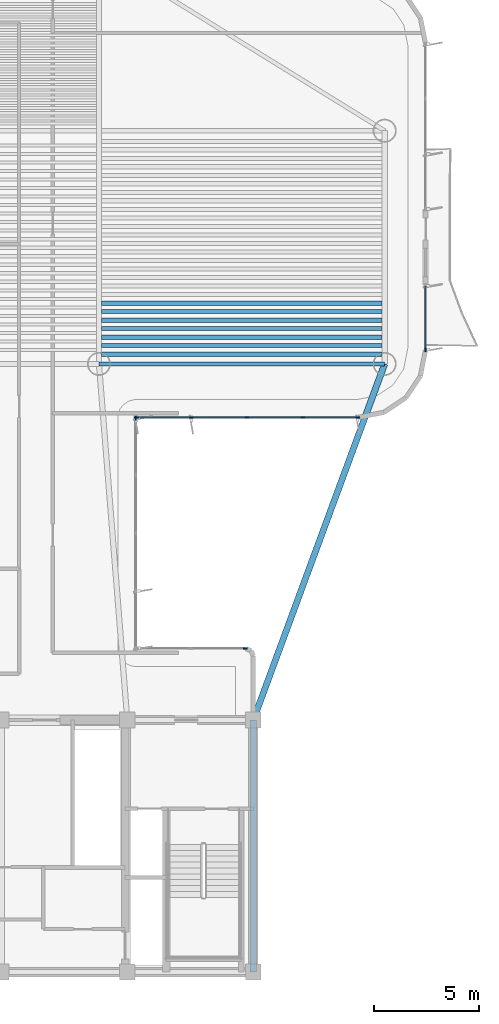
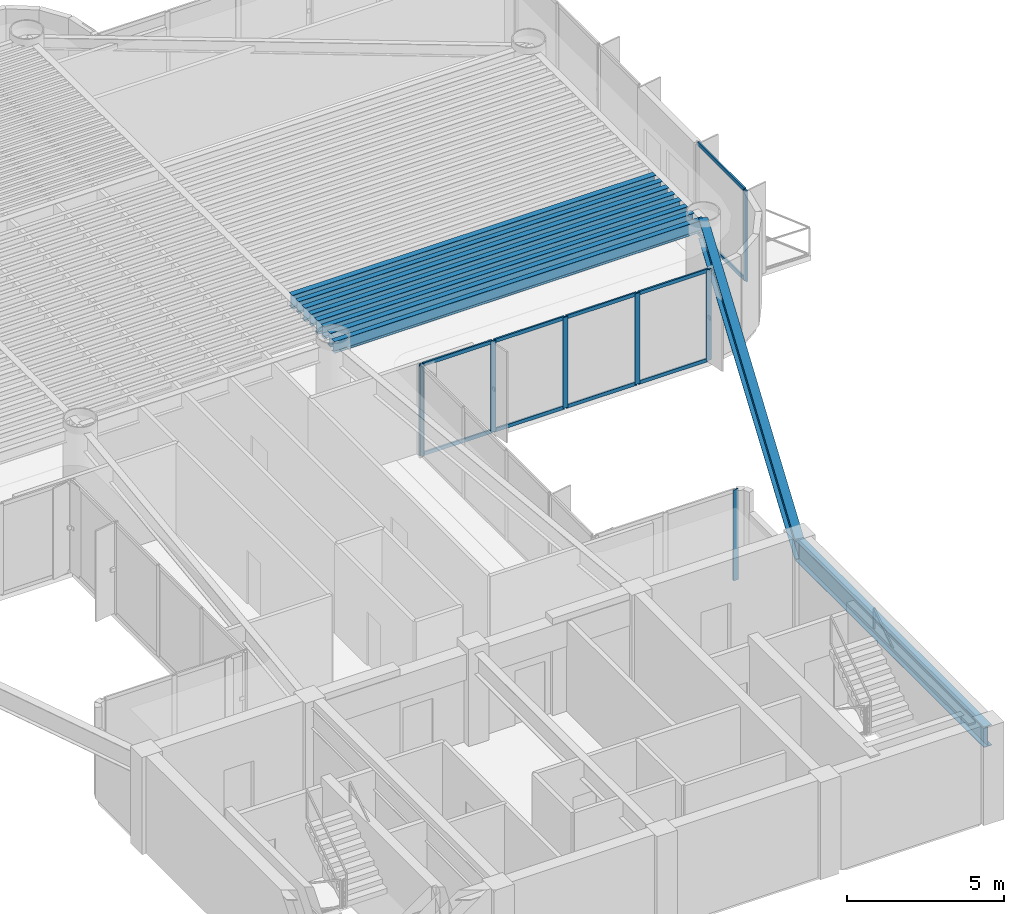
# One storey, part 4 of 13: 18 members, 10 beams, 4 elements without a shape of their own.
"""IFC4 building model written with IfcOpenShell, lengths in metres."""

from ifc_helpers import new_model, si_unit, direction, frame, origin, origin_2d, place, context, subcontext, project, spatial, rectangle, i_section, extrude, source, transform, mapped, material, layer, layer_set, material_profile, profile_set, type_object, element, aggregate, save


model = new_model("IFC4")

# Units and contexts
model_context = context("Model", 3, precision=1e-05, world=origin(), true_north=direction((0.0, 1.0)))
body_context = subcontext(model_context, "Body", "Model", "MODEL_VIEW")
ifc_project = project(units=[si_unit("LENGTHUNIT", "METRE"), si_unit("AREAUNIT", "SQUARE_METRE"), si_unit("VOLUMEUNIT", "CUBIC_METRE"), si_unit("PLANEANGLEUNIT", "RADIAN"), si_unit("MASSUNIT", "GRAM", prefix="KILO")], contexts=[model_context])

# Site, building, storey
site_placement = place(None, origin())
site = spatial("IfcSite", under=ifc_project, at=site_placement, CompositionType="ELEMENT")
building_placement = place(site_placement, origin())
building = spatial("IfcBuilding", under=site, at=building_placement, Name="Brelvock Crest Care Tower", CompositionType="ELEMENT")
storey_placement = place(building_placement, frame((0.0, 0.0, 186.659912109375)))
storey = spatial("IfcBuildingStorey", under=building, at=storey_placement, Name="L47", CompositionType="ELEMENT", Elevation=186.659912109375)

# Beams
ifc_material_1 = material(Name="Steel Grade 350", Category="steel")
ifc_material_profile_1 = material_profile(ifc_material_1, i_section(OverallWidth=0.300048828125, OverallDepth=0.800048828125, WebThickness=0.013916015625, FlangeThickness=0.02197265625, at=origin_2d()), Name="800WB192")
ifc_profile_set_1 = profile_set([ifc_material_profile_1], Name="Steel Grade 350")
beam_type_1 = type_object("IfcBeamType", Name="BM-G5", PredefinedType="BEAM", material=ifc_profile_set_1)
shared_shape_1 = source(origin(), body_context, "Body", "SweptSolid", [
    extrude(i_section(OverallWidth=0.300048828125, OverallDepth=0.800048828125, WebThickness=0.013916015625, FlangeThickness=0.02197265625, at=origin_2d()), origin(), (0.0, 0.0, 1.0), 12.0),
])
beam_1_placement = place(storey_placement, frame((48.0, 6.0, 3.130126953125), z_axis=(0.0, 1.0, 0.0), x_axis=(-1.0, 0.0, 0.0)))
element("IfcBeam", 1, at=beam_1_placement, inside=storey, type_object=beam_type_1, Name="BM-COREX-L47-5", PredefinedType="BEAM", context=body_context, shape_type="MappedRepresentation", body=[
    mapped(shared_shape_1, transform((0.0, 0.0, 0.0), x_axis=(1.0, 0.0, 0.0), y_axis=(0.0, 1.0, 0.0), z_axis=(0.0, 0.0, 1.0), scale=1.0)),
])
ifc_material_profile_2 = material_profile(ifc_material_1, i_section(OverallWidth=0.208984375, OverallDepth=0.532958984375, WebThickness=0.01025390625, FlangeThickness=0.015625, FilletRadius=0.013916015625, at=origin_2d()), Name="530UB92.4")
ifc_profile_set_2 = profile_set([ifc_material_profile_2], Name="Steel Grade 350")
beam_type_2 = type_object("IfcBeamType", Name="BM-G2", PredefinedType="BEAM", material=ifc_profile_set_2)
shared_shape_2 = source(origin(), body_context, "Body", "SweptSolid", [
    extrude(i_section(OverallWidth=0.208984375, OverallDepth=0.532958984375, WebThickness=0.01025390625, FlangeThickness=0.015625, FilletRadius=0.013916015625, at=origin_2d()), origin(), (0.0, 0.0, 1.0), 13.3701171875),
])
for number, where, z_axis, x_axis, name in (
    (2, (40.764892578125, 35.416259765625, 3.263671875), (1.0, 0.0, 0.0), (0.0, 1.0, 0.0), "BM-JE-L47-1"),
    (3, (40.764892578125, 36.2265625, 3.263671875), (1.0, 0.0, 0.0), (0.0, 1.0, 0.0), "BM-JE-L47-3"),
    (4, (40.764892578125, 37.036865234375, 3.263671875), (1.0, 0.0, 0.0), (0.0, 1.0, 0.0), "BM-JE-L47-5"),
    (5, (40.764892578125, 37.84716796875, 3.263671875), (1.0, 0.0, 0.0), (0.0, 1.0, 0.0), "BM-JE-L47-7"),
):
    element("IfcBeam", number, at=place(storey_placement, frame(where, z_axis=z_axis, x_axis=x_axis)), inside=storey, type_object=beam_type_2, Name=name, PredefinedType="BEAM", context=body_context, shape_type="MappedRepresentation", body=[
        mapped(shared_shape_2, transform((0.0, 0.0, 0.0), x_axis=(1.0, 0.0, 0.0), y_axis=(0.0, 1.0, 0.0), z_axis=(0.0, 0.0, 1.0), scale=1.0)),
    ])
ifc_material_profile_3 = material_profile(ifc_material_1, i_section(OverallWidth=0.19091796875, OverallDepth=0.4599609375, WebThickness=0.010009765625, FlangeThickness=0.01611328125, FilletRadius=0.011474609375, at=origin_2d()), Name="460UB82.1")
ifc_profile_set_3 = profile_set([ifc_material_profile_3], Name="Steel Grade 350")
beam_type_3 = type_object("IfcBeamType", Name="BM-G3", PredefinedType="BEAM", material=ifc_profile_set_3)
shared_shape_3 = source(origin(), body_context, "Body", "SweptSolid", [
    extrude(i_section(OverallWidth=0.19091796875, OverallDepth=0.4599609375, WebThickness=0.010009765625, FlangeThickness=0.01611328125, FilletRadius=0.011474609375, at=origin_2d()), origin(), (0.0, 0.0, 1.0), 13.3701171875),
])
for number, where, z_axis, x_axis, name in (
    (6, (40.764892578125, 35.8212890625, 3.300048828125), (1.0, 0.0, 0.0), (0.0, 1.0, 0.0), "BM-JE-L47-2"),
    (7, (40.764892578125, 36.631591796875, 3.300048828125), (1.0, 0.0, 0.0), (0.0, 1.0, 0.0), "BM-JE-L47-4"),
    (8, (40.764892578125, 37.44189453125, 3.300048828125), (1.0, 0.0, 0.0), (0.0, 1.0, 0.0), "BM-JE-L47-6"),
):
    element("IfcBeam", number, at=place(storey_placement, frame(where, z_axis=z_axis, x_axis=x_axis)), inside=storey, type_object=beam_type_3, Name=name, PredefinedType="BEAM", context=body_context, shape_type="MappedRepresentation", body=[
        mapped(shared_shape_3, transform((0.0, 0.0, 0.0), x_axis=(1.0, 0.0, 0.0), y_axis=(0.0, 1.0, 0.0), z_axis=(0.0, 0.0, 1.0), scale=1.0)),
    ])
ifc_material_profile_4 = material_profile(ifc_material_1, i_section(OverallWidth=0.19091796875, OverallDepth=0.4599609375, WebThickness=0.010009765625, FlangeThickness=0.01611328125, FilletRadius=0.011474609375, at=origin_2d()), Name="460UB82.1")
ifc_profile_set_4 = profile_set([ifc_material_profile_4], Name="Steel Grade 350")
beam_type_4 = type_object("IfcBeamType", Name="BM-SP2", PredefinedType="SPANDREL", material=ifc_profile_set_4)
shared_shape_4 = source(origin(), body_context, "Body", "SweptSolid", [
    extrude(i_section(OverallWidth=0.19091796875, OverallDepth=0.4599609375, WebThickness=0.010009765625, FlangeThickness=0.01611328125, FilletRadius=0.011474609375, at=origin_2d()), origin(), (0.0, 0.0, 1.0), 13.60009765625),
])
beam_2_placement = place(storey_placement, frame((40.64990234375, 34.949951171875, 3.300048828125), z_axis=(1.0, 0.0, 0.0), x_axis=(0.0, 1.0, 0.0)))
element("IfcBeam", 9, at=beam_2_placement, inside=storey, type_object=beam_type_4, Name="BM-TWR-L47-04", PredefinedType="SPANDREL", context=body_context, shape_type="MappedRepresentation", body=[
    mapped(shared_shape_4, transform((0.0, 0.0, 0.0), x_axis=(1.0, 0.0, 0.0), y_axis=(0.0, 1.0, 0.0), z_axis=(0.0, 0.0, 1.0), scale=1.0)),
])
shared_shape_5 = source(origin(), body_context, "Body", "SweptSolid", [
    extrude(i_section(OverallWidth=0.300048828125, OverallDepth=0.800048828125, WebThickness=0.013916015625, FlangeThickness=0.02197265625, at=origin_2d()), origin(), (0.0, 0.0, 1.0), 18.0654296875),
])
beam_3_placement = place(storey_placement, frame((48.0, 18.0, 3.130126953125), z_axis=(0.345962741309, 0.938248251597, 0.0), x_axis=(-0.938248251597, 0.345962741309, 0.0)))
element("IfcBeam", 10, at=beam_3_placement, inside=storey, type_object=beam_type_1, Name="BM-THRO-E-L47", PredefinedType="BEAM", context=body_context, shape_type="MappedRepresentation", body=[
    mapped(shared_shape_5, transform((0.0, 0.0, 0.0), x_axis=(1.0, 0.0, 0.0), y_axis=(0.0, 1.0, 0.0), z_axis=(0.0, 0.0, 1.0), scale=1.0)),
])

# Curtain wall, member
ifc_material_2 = material(Name="Dark Glass Double Glazed Low-E", Category="glass")
ifc_layer = layer(ifc_material_2, 0.22509765625, Name="CWS-4")
ifc_layer_set = layer_set([ifc_layer], Name="Dark Glass Double Glazed Low-E")
curtain_wall_type = type_object("IfcCurtainWallType", Name="CWS-4", PredefinedType="NOTDEFINED", material=ifc_layer_set)
curtain_wall_1_placement = place(storey_placement, origin())
curtain_wall_1 = element("IfcCurtainWall", 11, at=curtain_wall_1_placement, inside=storey, type_object=curtain_wall_type, Name="L47 Curtain Wall E39B", PredefinedType="NOTDEFINED")
ifc_material_3 = material(Name="Aluminium 6063-T6", Category="aluminium")
ifc_material_profile_5 = material_profile(ifc_material_3, rectangle(XDim=0.06005859375, YDim=0.179931640625, at=origin_2d()), Name="ALU60x180")
ifc_profile_set_5 = profile_set([ifc_material_profile_5], Name="Aluminium 6063-T6")
member_type_1 = type_object("IfcMemberType", Name="CWM-2", PredefinedType="MULLION", material=ifc_profile_set_5)
shared_shape_6 = source(origin(), body_context, "Body", "SweptSolid", [
    extrude(rectangle(XDim=0.06005859375, YDim=0.179931640625, at=origin_2d()), origin(), (0.0, 0.0, 1.0), 3.530029296875),
])
member_1_placement = place(storey_placement, frame((56.199951171875, 35.6298828125, 0.0), z_axis=(0.0, 0.0, 1.0), x_axis=(1.0, 0.0, 0.0)))
member_1 = element("IfcMember", 12, at=member_1_placement, type_object=member_type_1, Name="CW-4 mullion 2", PredefinedType="MULLION", context=body_context, shape_type="MappedRepresentation", body=[
    mapped(shared_shape_6, transform((0.0, 0.0, 0.0), x_axis=(1.0, 0.0, 0.0), y_axis=(0.0, 1.0, 0.0), z_axis=(0.0, 0.0, 1.0), scale=1.0)),
])

# Curtain wall, members
curtain_wall_2_placement = place(storey_placement, origin())
curtain_wall_2 = element("IfcCurtainWall", 13, at=curtain_wall_2_placement, inside=storey, type_object=curtain_wall_type, Name="L47 Curtain Wall E44", PredefinedType="NOTDEFINED")
member_2_placement = place(storey_placement, frame((52.969970703125, 32.39990234375, 0.0), z_axis=(0.0, 0.0, 1.0), x_axis=(0.0, -1.0, 0.0)))
member_2 = element("IfcMember", 14, at=member_2_placement, type_object=member_type_1, Name="CW-4 mullion 1", PredefinedType="MULLION", context=body_context, shape_type="MappedRepresentation", body=[
    mapped(shared_shape_6, transform((0.0, 0.0, 0.0), x_axis=(1.0, 0.0, 0.0), y_axis=(0.0, 1.0, 0.0), z_axis=(0.0, 0.0, 1.0), scale=1.0)),
])
member_3_placement = place(storey_placement, frame((50.35009765625, 32.39990234375, 0.0), z_axis=(0.0, 0.0, 1.0), x_axis=(0.0, -1.0, 0.0)))
member_3 = element("IfcMember", 15, at=member_3_placement, type_object=member_type_1, Name="CW-4 mullion 2", PredefinedType="MULLION", context=body_context, shape_type="MappedRepresentation", body=[
    mapped(shared_shape_6, transform((0.0, 0.0, 0.0), x_axis=(1.0, 0.0, 0.0), y_axis=(0.0, 1.0, 0.0), z_axis=(0.0, 0.0, 1.0), scale=1.0)),
])
member_4_placement = place(storey_placement, frame((47.699951171875, 32.39990234375, 0.0), z_axis=(0.0, 0.0, 1.0), x_axis=(0.0, -1.0, 0.0)))
member_4 = element("IfcMember", 16, at=member_4_placement, type_object=member_type_1, Name="CW-4 mullion 3", PredefinedType="MULLION", context=body_context, shape_type="MappedRepresentation", body=[
    mapped(shared_shape_6, transform((0.0, 0.0, 0.0), x_axis=(1.0, 0.0, 0.0), y_axis=(0.0, 1.0, 0.0), z_axis=(0.0, 0.0, 1.0), scale=1.0)),
])
member_5_placement = place(storey_placement, frame((45.050048828125, 32.39990234375, 0.0), z_axis=(0.0, 0.0, 1.0), x_axis=(0.0, -1.0, 0.0)))
member_5 = element("IfcMember", 17, at=member_5_placement, type_object=member_type_1, Name="CW-4 mullion 4", PredefinedType="MULLION", context=body_context, shape_type="MappedRepresentation", body=[
    mapped(shared_shape_6, transform((0.0, 0.0, 0.0), x_axis=(1.0, 0.0, 0.0), y_axis=(0.0, 1.0, 0.0), z_axis=(0.0, 0.0, 1.0), scale=1.0)),
])
member_6_placement = place(storey_placement, frame((42.429931640625, 32.39990234375, 0.0), z_axis=(0.0, 0.0, 1.0), x_axis=(0.0, -1.0, 0.0)))
member_6 = element("IfcMember", 18, at=member_6_placement, type_object=member_type_1, Name="CW-4 mullion 5", PredefinedType="MULLION", context=body_context, shape_type="MappedRepresentation", body=[
    mapped(shared_shape_6, transform((0.0, 0.0, 0.0), x_axis=(1.0, 0.0, 0.0), y_axis=(0.0, 1.0, 0.0), z_axis=(0.0, 0.0, 1.0), scale=1.0)),
])

# Curtain wall, member
curtain_wall_3_placement = place(storey_placement, origin())
curtain_wall_3 = element("IfcCurtainWall", 19, at=curtain_wall_3_placement, inside=storey, type_object=curtain_wall_type, Name="L47 Curtain Wall E45", PredefinedType="NOTDEFINED")
member_7_placement = place(storey_placement, frame((42.39990234375, 32.3701171875, 0.0), z_axis=(0.0, 0.0, 1.0), x_axis=(1.0, 0.0, 0.0)))
member_7 = element("IfcMember", 20, at=member_7_placement, type_object=member_type_1, Name="CW-4 mullion 1", PredefinedType="MULLION", context=body_context, shape_type="MappedRepresentation", body=[
    mapped(shared_shape_6, transform((0.0, 0.0, 0.0), x_axis=(1.0, 0.0, 0.0), y_axis=(0.0, 1.0, 0.0), z_axis=(0.0, 0.0, 1.0), scale=1.0)),
])
aggregate(curtain_wall_3, [member_7])

curtain_wall_4_placement = place(storey_placement, origin())
curtain_wall_4 = element("IfcCurtainWall", 21, at=curtain_wall_4_placement, inside=storey, type_object=curtain_wall_type, Name="L47 Curtain Wall E46", PredefinedType="NOTDEFINED")
member_8_placement = place(storey_placement, frame((47.6201171875, 21.39990234375, 0.0), z_axis=(0.0, 0.0, 1.0), x_axis=(0.0, 1.0, 0.0)))
member_8 = element("IfcMember", 22, at=member_8_placement, type_object=member_type_1, Name="CW-4 mullion 3", PredefinedType="MULLION", context=body_context, shape_type="MappedRepresentation", body=[
    mapped(shared_shape_6, transform((0.0, 0.0, 0.0), x_axis=(1.0, 0.0, 0.0), y_axis=(0.0, 1.0, 0.0), z_axis=(0.0, 0.0, 1.0), scale=1.0)),
])
aggregate(curtain_wall_4, [member_8])

# Member
ifc_material_profile_6 = material_profile(ifc_material_3, rectangle(XDim=0.06005859375, YDim=0.139892578125, at=origin_2d()), Name="ALU60x140")
ifc_profile_set_6 = profile_set([ifc_material_profile_6], Name="Aluminium 6063-T6")
member_type_2 = type_object("IfcMemberType", Name="CWT-2", PredefinedType="USERDEFINED", material=ifc_profile_set_6)
shared_shape_7 = source(origin(), body_context, "Body", "SweptSolid", [
    extrude(rectangle(XDim=0.06005859375, YDim=0.139892578125, at=origin_2d()), origin(), (0.0, 0.0, 1.0), 2.56005859375),
])
member_9_placement = place(storey_placement, frame((52.93994140625, 32.39990234375, 0.030029296875), z_axis=(-1.0, 0.0, 0.0), x_axis=(0.0, -1.0, 0.0)))
member_9 = element("IfcMember", 23, at=member_9_placement, type_object=member_type_2, Name="CW-4 transom 1.1", ObjectType="TRANSOM", PredefinedType="USERDEFINED", context=body_context, shape_type="MappedRepresentation", body=[
    mapped(shared_shape_7, transform((0.0, 0.0, 0.0), x_axis=(1.0, 0.0, 0.0), y_axis=(0.0, 1.0, 0.0), z_axis=(0.0, 0.0, 1.0), scale=1.0)),
])

member_10_placement = place(storey_placement, frame((52.93994140625, 32.39990234375, 3.5), z_axis=(-1.0, 0.0, 0.0), x_axis=(0.0, -1.0, 0.0)))
member_10 = element("IfcMember", 24, at=member_10_placement, type_object=member_type_2, Name="CW-4 transom 1.2", ObjectType="TRANSOM", PredefinedType="USERDEFINED", context=body_context, shape_type="MappedRepresentation", body=[
    mapped(shared_shape_7, transform((0.0, 0.0, 0.0), x_axis=(1.0, 0.0, 0.0), y_axis=(0.0, 1.0, 0.0), z_axis=(0.0, 0.0, 1.0), scale=1.0)),
])

member_11_placement = place(storey_placement, frame((45.02001953125, 32.39990234375, 0.030029296875), z_axis=(-1.0, 0.0, 0.0), x_axis=(0.0, -1.0, 0.0)))
member_11 = element("IfcMember", 25, at=member_11_placement, type_object=member_type_2, Name="CW-4 transom 4.1", ObjectType="TRANSOM", PredefinedType="USERDEFINED", context=body_context, shape_type="MappedRepresentation", body=[
    mapped(shared_shape_7, transform((0.0, 0.0, 0.0), x_axis=(1.0, 0.0, 0.0), y_axis=(0.0, 1.0, 0.0), z_axis=(0.0, 0.0, 1.0), scale=1.0)),
])

member_12_placement = place(storey_placement, frame((45.02001953125, 32.39990234375, 3.5), z_axis=(-1.0, 0.0, 0.0), x_axis=(0.0, -1.0, 0.0)))
member_12 = element("IfcMember", 26, at=member_12_placement, type_object=member_type_2, Name="CW-4 transom 4.2", ObjectType="TRANSOM", PredefinedType="USERDEFINED", context=body_context, shape_type="MappedRepresentation", body=[
    mapped(shared_shape_7, transform((0.0, 0.0, 0.0), x_axis=(1.0, 0.0, 0.0), y_axis=(0.0, 1.0, 0.0), z_axis=(0.0, 0.0, 1.0), scale=1.0)),
])

shared_shape_8 = source(origin(), body_context, "Body", "SweptSolid", [
    extrude(rectangle(XDim=0.06005859375, YDim=0.139892578125, at=origin_2d()), origin(), (0.0, 0.0, 1.0), 2.58984375),
])
member_13_placement = place(storey_placement, frame((47.669921875, 32.39990234375, 0.030029296875), z_axis=(-1.0, 0.0, 0.0), x_axis=(0.0, -1.0, 0.0)))
member_13 = element("IfcMember", 27, at=member_13_placement, type_object=member_type_2, Name="CW-4 transom 3.1", ObjectType="TRANSOM", PredefinedType="USERDEFINED", context=body_context, shape_type="MappedRepresentation", body=[
    mapped(shared_shape_8, transform((0.0, 0.0, 0.0), x_axis=(1.0, 0.0, 0.0), y_axis=(0.0, 1.0, 0.0), z_axis=(0.0, 0.0, 1.0), scale=1.0)),
])

member_14_placement = place(storey_placement, frame((47.669921875, 32.39990234375, 3.5), z_axis=(-1.0, 0.0, 0.0), x_axis=(0.0, -1.0, 0.0)))
member_14 = element("IfcMember", 28, at=member_14_placement, type_object=member_type_2, Name="CW-4 transom 3.2", ObjectType="TRANSOM", PredefinedType="USERDEFINED", context=body_context, shape_type="MappedRepresentation", body=[
    mapped(shared_shape_8, transform((0.0, 0.0, 0.0), x_axis=(1.0, 0.0, 0.0), y_axis=(0.0, 1.0, 0.0), z_axis=(0.0, 0.0, 1.0), scale=1.0)),
])

shared_shape_9 = source(origin(), body_context, "Body", "SweptSolid", [
    extrude(rectangle(XDim=0.06005859375, YDim=0.139892578125, at=origin_2d()), origin(), (0.0, 0.0, 1.0), 2.590087890625),
])
member_15_placement = place(storey_placement, frame((50.320068359375, 32.39990234375, 0.030029296875), z_axis=(-1.0, 0.0, 0.0), x_axis=(0.0, -1.0, 0.0)))
member_15 = element("IfcMember", 29, at=member_15_placement, type_object=member_type_2, Name="CW-4 transom 2.1", ObjectType="TRANSOM", PredefinedType="USERDEFINED", context=body_context, shape_type="MappedRepresentation", body=[
    mapped(shared_shape_9, transform((0.0, 0.0, 0.0), x_axis=(1.0, 0.0, 0.0), y_axis=(0.0, 1.0, 0.0), z_axis=(0.0, 0.0, 1.0), scale=1.0)),
])

member_16_placement = place(storey_placement, frame((50.320068359375, 32.39990234375, 3.5), z_axis=(-1.0, 0.0, 0.0), x_axis=(0.0, -1.0, 0.0)))
member_16 = element("IfcMember", 30, at=member_16_placement, type_object=member_type_2, Name="CW-4 transom 2.2", ObjectType="TRANSOM", PredefinedType="USERDEFINED", context=body_context, shape_type="MappedRepresentation", body=[
    mapped(shared_shape_9, transform((0.0, 0.0, 0.0), x_axis=(1.0, 0.0, 0.0), y_axis=(0.0, 1.0, 0.0), z_axis=(0.0, 0.0, 1.0), scale=1.0)),
])

aggregate(curtain_wall_2, [member_2, member_3, member_4, member_5, member_6, member_9, member_10, member_15, member_16, member_13, member_14, member_11, member_12])

shared_shape_10 = source(origin(), body_context, "Body", "SweptSolid", [
    extrude(rectangle(XDim=0.06005859375, YDim=0.139892578125, at=origin_2d()), origin(), (0.0, 0.0, 1.0), 2.97998046875),
])
member_17_placement = place(storey_placement, frame((56.199951171875, 38.639892578125, 0.030029296875), z_axis=(0.0, -1.0, 0.0), x_axis=(1.0, 0.0, 0.0)))
member_17 = element("IfcMember", 31, at=member_17_placement, type_object=member_type_2, Name="CW-4 transom 1.1", ObjectType="TRANSOM", PredefinedType="USERDEFINED", context=body_context, shape_type="MappedRepresentation", body=[
    mapped(shared_shape_10, transform((0.0, 0.0, 0.0), x_axis=(1.0, 0.0, 0.0), y_axis=(0.0, 1.0, 0.0), z_axis=(0.0, 0.0, 1.0), scale=1.0)),
])

member_18_placement = place(storey_placement, frame((56.199951171875, 38.639892578125, 3.5), z_axis=(0.0, -1.0, 0.0), x_axis=(1.0, 0.0, 0.0)))
member_18 = element("IfcMember", 32, at=member_18_placement, type_object=member_type_2, Name="CW-4 transom 1.2", ObjectType="TRANSOM", PredefinedType="USERDEFINED", context=body_context, shape_type="MappedRepresentation", body=[
    mapped(shared_shape_10, transform((0.0, 0.0, 0.0), x_axis=(1.0, 0.0, 0.0), y_axis=(0.0, 1.0, 0.0), z_axis=(0.0, 0.0, 1.0), scale=1.0)),
])

aggregate(curtain_wall_1, [member_1, member_17, member_18])

save(model, "model.ifc")
